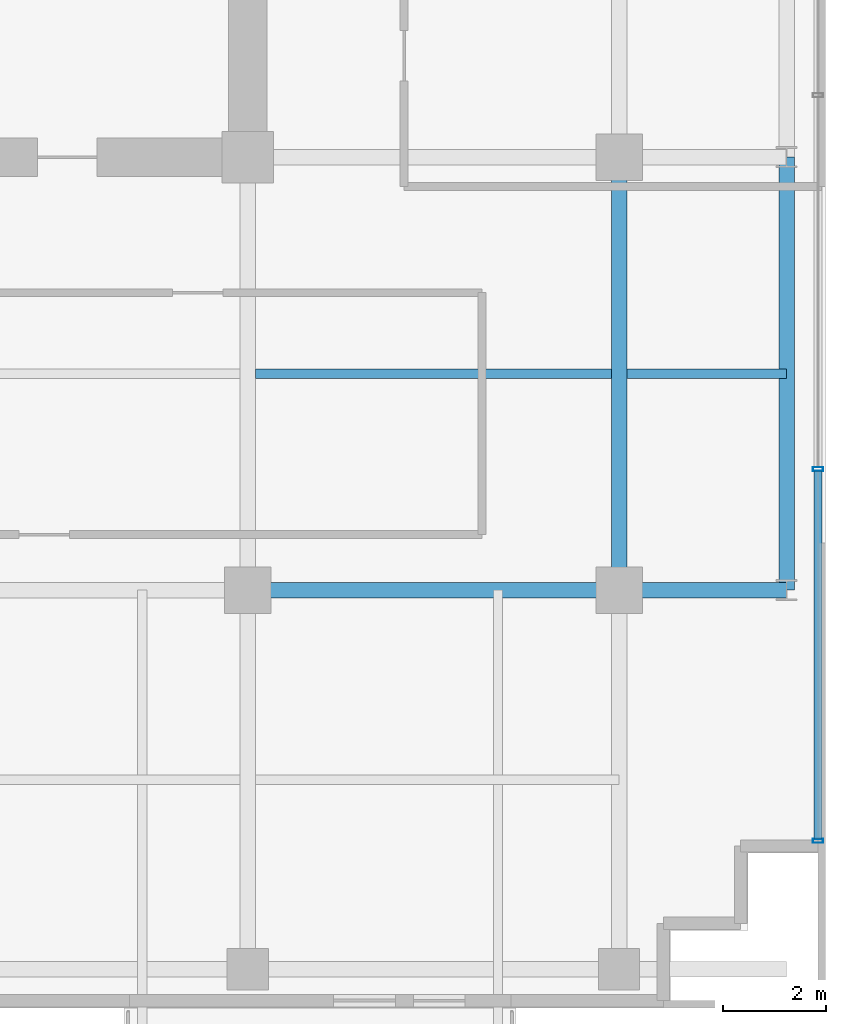
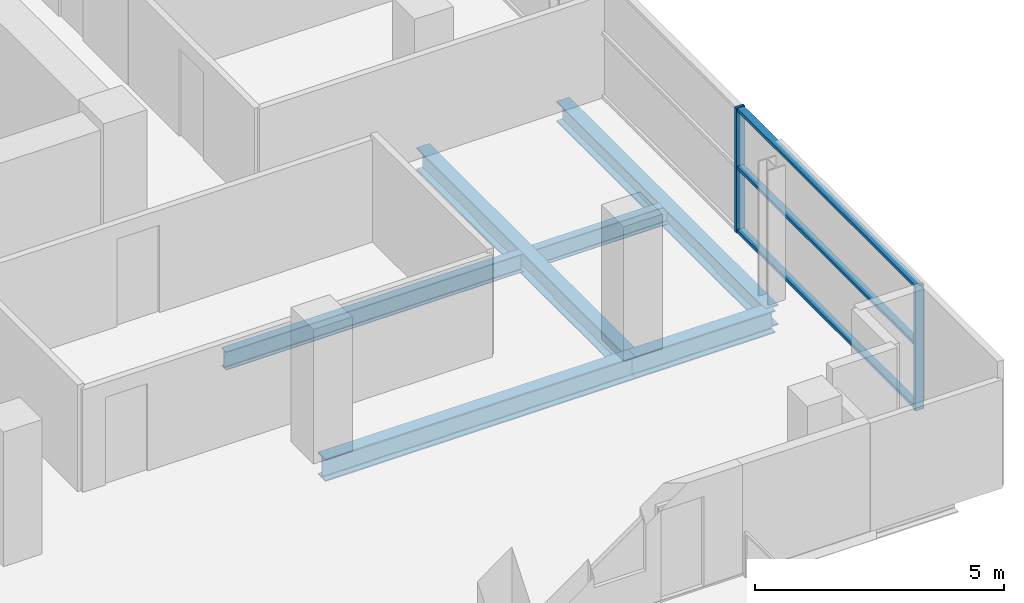
# One storey, part 12 of 27: 6 beams, 5 members, 1 element without a shape of its own.
"""IFC4 building model written with IfcOpenShell, lengths in metres."""

from ifc_helpers import new_model, si_unit, direction, frame, origin, origin_2d, place, context, subcontext, project, spatial, hollow_rectangle, i_section, extrude, source, transform, mapped, material, layer, layer_set, material_profile, profile_set, type_object, element, aggregate, save


model = new_model("IFC4")

# Units and contexts
model_context = context("Model", 3, precision=1e-05, world=origin(), true_north=direction((0.0, 1.0)))
body_context = subcontext(model_context, "Body", "Model", "MODEL_VIEW")
ifc_project = project(units=[si_unit("LENGTHUNIT", "METRE"), si_unit("AREAUNIT", "SQUARE_METRE"), si_unit("VOLUMEUNIT", "CUBIC_METRE"), si_unit("PLANEANGLEUNIT", "RADIAN"), si_unit("MASSUNIT", "GRAM", prefix="KILO")], contexts=[model_context])

# Site, building, storey
site_placement = place(None, origin())
site = spatial("IfcSite", under=ifc_project, at=site_placement, CompositionType="ELEMENT")
building_placement = place(site_placement, origin())
building = spatial("IfcBuilding", under=site, at=building_placement, Name="Zarnakvel Exchange Tower", CompositionType="ELEMENT")
storey_placement = place(building_placement, frame((0.0, 0.0, 96.699951171875)))
storey = spatial("IfcBuildingStorey", under=building, at=storey_placement, Name="L26", CompositionType="ELEMENT", Elevation=96.699951171875)

# Beams
ifc_material_1 = material(Name="Steel S355", Category="steel")
ifc_material_profile_1 = material_profile(ifc_material_1, i_section(OverallWidth=0.18994140625, OverallDepth=0.449951171875, WebThickness=0.009521484375, FlangeThickness=0.0146484375, FilletRadius=0.02099609375, at=origin_2d()))
ifc_profile_set_1 = profile_set([ifc_material_profile_1], Name="Steel S355")
beam_type_1 = type_object("IfcBeamType", Name="B-05", PredefinedType="JOIST", material=ifc_profile_set_1)
beam_1_placement = place(storey_placement, frame((14.550048828125, -5.39990234375, -0.449951171875), z_axis=(1.0, 0.0, 0.0), x_axis=(0.0, 1.0, 0.0)))
element("IfcBeam", 1, at=beam_1_placement, inside=storey, type_object=beam_type_1, Name="L26 Composite Floor Secondary Joist", PredefinedType="JOIST", context=body_context, shape_type="SweptSolid", body=[
    extrude(i_section(OverallWidth=0.18994140625, OverallDepth=0.449951171875, WebThickness=0.009521484375, FlangeThickness=0.0146484375, FilletRadius=0.02099609375, at=origin_2d()), origin(), (0.0, 0.0, 1.0), 6.89990234375),
])
beam_2_placement = place(storey_placement, frame((21.75, -5.39990234375, -0.449951171875), z_axis=(1.0, 0.0, 0.0), x_axis=(0.0, 1.0, 0.0)))
element("IfcBeam", 2, at=beam_2_placement, inside=storey, type_object=beam_type_1, Name="L26 Composite Floor Secondary Joist", PredefinedType="JOIST", context=body_context, shape_type="SweptSolid", body=[
    extrude(i_section(OverallWidth=0.18994140625, OverallDepth=0.449951171875, WebThickness=0.009521484375, FlangeThickness=0.0146484375, FilletRadius=0.02099609375, at=origin_2d()), origin(), (0.0, 0.0, 1.0), 3.10009765625),
])
ifc_material_profile_2 = material_profile(ifc_material_1, i_section(OverallWidth=0.300048828125, OverallDepth=0.550048828125, WebThickness=0.014892578125, FlangeThickness=0.029052734375, FilletRadius=0.027099609375, at=origin_2d()))
ifc_profile_set_2 = profile_set([ifc_material_profile_2], Name="Steel S355")
beam_type_2 = type_object("IfcBeamType", Name="G-05", PredefinedType="BEAM", material=ifc_profile_set_2)
beam_3_placement = place(storey_placement, frame((14.39990234375, -9.60009765625, -0.5), z_axis=(1.0, 0.0, 0.0), x_axis=(0.0, 1.0, 0.0)))
element("IfcBeam", 3, at=beam_3_placement, inside=storey, type_object=beam_type_2, Name="L26 Tower E-W Frame Beam", PredefinedType="BEAM", context=body_context, shape_type="SweptSolid", body=[
    extrude(i_section(OverallWidth=0.300048828125, OverallDepth=0.550048828125, WebThickness=0.014892578125, FlangeThickness=0.029052734375, FilletRadius=0.027099609375, at=origin_2d()), origin(), (0.0, 0.0, 1.0), 7.2001953125),
])
beam_4_placement = place(storey_placement, frame((21.60009765625, -9.60009765625, -0.5), z_axis=(1.0, 0.0, 0.0), x_axis=(0.0, 1.0, 0.0)))
element("IfcBeam", 4, at=beam_4_placement, inside=storey, type_object=beam_type_2, Name="L26 Tower E-W Frame Beam", PredefinedType="BEAM", context=body_context, shape_type="SweptSolid", body=[
    extrude(i_section(OverallWidth=0.300048828125, OverallDepth=0.550048828125, WebThickness=0.014892578125, FlangeThickness=0.029052734375, FilletRadius=0.027099609375, at=origin_2d()), origin(), (0.0, 0.0, 1.0), 3.25),
])
beam_5_placement = place(storey_placement, frame((21.60009765625, -9.60009765625, -0.5), z_axis=(0.0, 1.0, 0.0), x_axis=(-1.0, 0.0, 0.0)))
element("IfcBeam", 5, at=beam_5_placement, inside=storey, type_object=beam_type_2, Name="L26 Tower N-S Frame Beam", PredefinedType="BEAM", context=body_context, shape_type="SweptSolid", body=[
    extrude(i_section(OverallWidth=0.300048828125, OverallDepth=0.550048828125, WebThickness=0.014892578125, FlangeThickness=0.029052734375, FilletRadius=0.027099609375, at=origin_2d()), origin(), (0.0, 0.0, 1.0), 8.400146484375),
])
ifc_material_profile_3 = material_profile(ifc_material_1, i_section(OverallWidth=0.300048828125, OverallDepth=0.5, WebThickness=0.014404296875, FlangeThickness=0.028076171875, FilletRadius=0.027099609375, at=origin_2d()))
ifc_profile_set_3 = profile_set([ifc_material_profile_3], Name="Steel S355")
beam_type_3 = type_object("IfcBeamType", Name="SP-02", PredefinedType="SPANDREL", material=ifc_profile_set_3)
beam_6_placement = place(storey_placement, frame((24.85009765625, -9.60009765625, -0.474853515625), z_axis=(0.0, 1.0, 0.0), x_axis=(-1.0, 0.0, 0.0)))
element("IfcBeam", 6, at=beam_6_placement, inside=storey, type_object=beam_type_3, Name="L26 Tower N-S Frame Beam", PredefinedType="SPANDREL", context=body_context, shape_type="SweptSolid", body=[
    extrude(i_section(OverallWidth=0.300048828125, OverallDepth=0.5, WebThickness=0.014404296875, FlangeThickness=0.028076171875, FilletRadius=0.027099609375, at=origin_2d()), origin(), (0.0, 0.0, 1.0), 8.400146484375),
])

# Curtain wall, members
ifc_material_2 = material(Name="Architectural Bronze Anodised Aluminium", Category="aluminium")
ifc_layer = layer(ifc_material_2, 0.199951171875)
ifc_layer_set = layer_set([ifc_layer], Name="Architectural Bronze Anodised Aluminium")
curtain_wall_type = type_object("IfcCurtainWallType", Name="CW-04", PredefinedType="NOTDEFINED", material=ifc_layer_set)
curtain_wall_placement = place(storey_placement, origin())
curtain_wall = element("IfcCurtainWall", 7, at=curtain_wall_placement, inside=storey, type_object=curtain_wall_type, Name="L26 Curtain Wall CW-L26-E1 (CW-04)", PredefinedType="NOTDEFINED")
ifc_material_profile_4 = material_profile(ifc_material_2, hollow_rectangle(XDim=0.199951171875, YDim=0.074951171875, WallThickness=0.0048828125, at=origin_2d()))
ifc_profile_set_4 = profile_set([ifc_material_profile_4], Name="Architectural Bronze Anodised Aluminium")
member_type_1 = type_object("IfcMemberType", Name="CWM-04", PredefinedType="MULLION", material=ifc_profile_set_4)
shared_shape_1 = source(origin(), body_context, "Body", "SweptSolid", [
    extrude(hollow_rectangle(XDim=0.199951171875, YDim=0.074951171875, WallThickness=0.0048828125, at=origin_2d()), origin(), (0.0, 0.0, 1.0), 3.054931640625),
])
member_1_placement = place(storey_placement, frame((25.4599609375, -14.46240234375, 0.0), z_axis=(0.0, 0.0, 1.0), x_axis=(-1.0, 0.0, 0.0)))
member_1 = element("IfcMember", 8, at=member_1_placement, type_object=member_type_1, Name="CW-04 mullion 1", PredefinedType="MULLION", context=body_context, shape_type="MappedRepresentation", body=[
    mapped(shared_shape_1, transform((0.0, 0.0, 0.0), x_axis=(1.0, 0.0, 0.0), y_axis=(0.0, 1.0, 0.0), z_axis=(0.0, 0.0, 1.0), scale=1.0)),
])
member_2_placement = place(storey_placement, frame((25.4599609375, -7.25, 0.0), z_axis=(0.0, 0.0, 1.0), x_axis=(-1.0, 0.0, 0.0)))
member_2 = element("IfcMember", 9, at=member_2_placement, type_object=member_type_1, Name="CW-04 mullion 2", PredefinedType="MULLION", context=body_context, shape_type="MappedRepresentation", body=[
    mapped(shared_shape_1, transform((0.0, 0.0, 0.0), x_axis=(1.0, 0.0, 0.0), y_axis=(0.0, 1.0, 0.0), z_axis=(0.0, 0.0, 1.0), scale=1.0)),
])
ifc_material_profile_5 = material_profile(ifc_material_2, hollow_rectangle(XDim=0.159912109375, YDim=0.074951171875, WallThickness=0.00390625, at=origin_2d()))
ifc_profile_set_5 = profile_set([ifc_material_profile_5], Name="Architectural Bronze Anodised Aluminium")
member_type_2 = type_object("IfcMemberType", Name="CWT-04", PredefinedType="USERDEFINED", material=ifc_profile_set_5)
shared_shape_2 = source(origin(), body_context, "Body", "SweptSolid", [
    extrude(hollow_rectangle(XDim=0.159912109375, YDim=0.074951171875, WallThickness=0.00390625, at=origin_2d()), origin(), (0.0, 0.0, 1.0), 7.137451171875),
])
member_3_placement = place(storey_placement, frame((25.4599609375, -14.425048828125, 0.03759765625), z_axis=(0.0, 1.0, 0.0), x_axis=(-1.0, 0.0, 0.0)))
member_3 = element("IfcMember", 10, at=member_3_placement, type_object=member_type_2, Name="CW-04 transom 1.1", ObjectType="TRANSOM", PredefinedType="USERDEFINED", context=body_context, shape_type="MappedRepresentation", body=[
    mapped(shared_shape_2, transform((0.0, 0.0, 0.0), x_axis=(1.0, 0.0, 0.0), y_axis=(0.0, 1.0, 0.0), z_axis=(0.0, 0.0, 1.0), scale=1.0)),
])
member_4_placement = place(storey_placement, frame((25.4599609375, -14.425048828125, 1.588623046875), z_axis=(0.0, 1.0, 0.0), x_axis=(-1.0, 0.0, 0.0)))
member_4 = element("IfcMember", 11, at=member_4_placement, type_object=member_type_2, Name="CW-04 transom 1.2", ObjectType="TRANSOM", PredefinedType="USERDEFINED", context=body_context, shape_type="MappedRepresentation", body=[
    mapped(shared_shape_2, transform((0.0, 0.0, 0.0), x_axis=(1.0, 0.0, 0.0), y_axis=(0.0, 1.0, 0.0), z_axis=(0.0, 0.0, 1.0), scale=1.0)),
])
member_5_placement = place(storey_placement, frame((25.4599609375, -14.425048828125, 3.017578125), z_axis=(0.0, 1.0, 0.0), x_axis=(-1.0, 0.0, 0.0)))
member_5 = element("IfcMember", 12, at=member_5_placement, type_object=member_type_2, Name="CW-04 transom 1.3", ObjectType="TRANSOM", PredefinedType="USERDEFINED", context=body_context, shape_type="MappedRepresentation", body=[
    mapped(shared_shape_2, transform((0.0, 0.0, 0.0), x_axis=(1.0, 0.0, 0.0), y_axis=(0.0, 1.0, 0.0), z_axis=(0.0, 0.0, 1.0), scale=1.0)),
])
aggregate(curtain_wall, [member_1, member_2, member_3, member_4, member_5])

save(model, "model.ifc")
